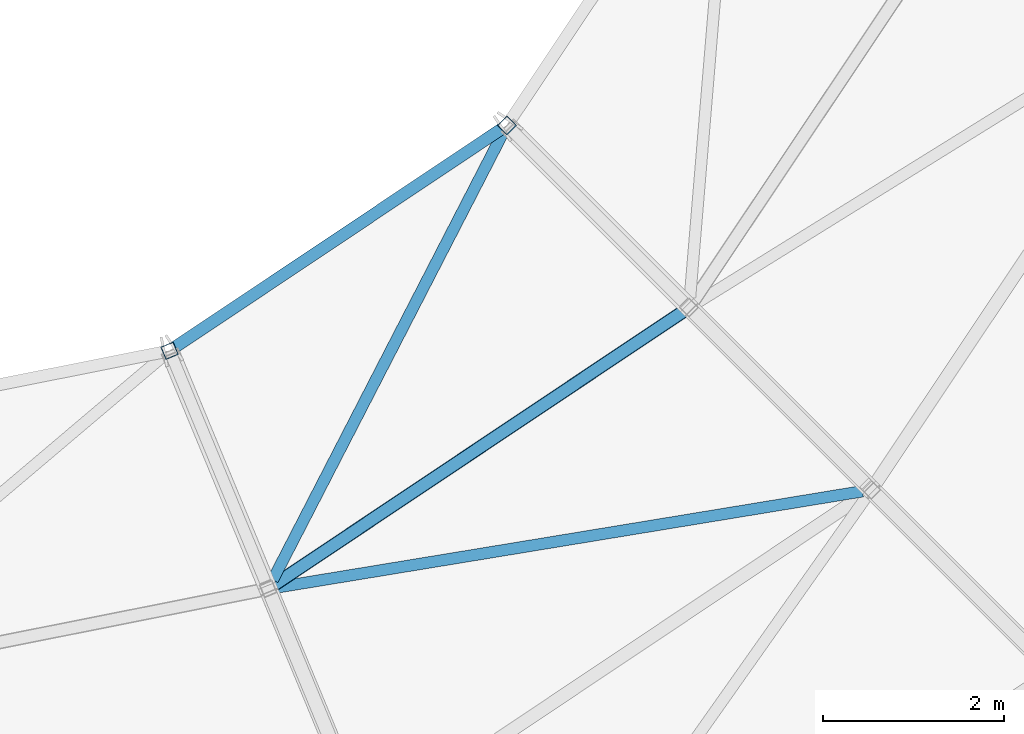
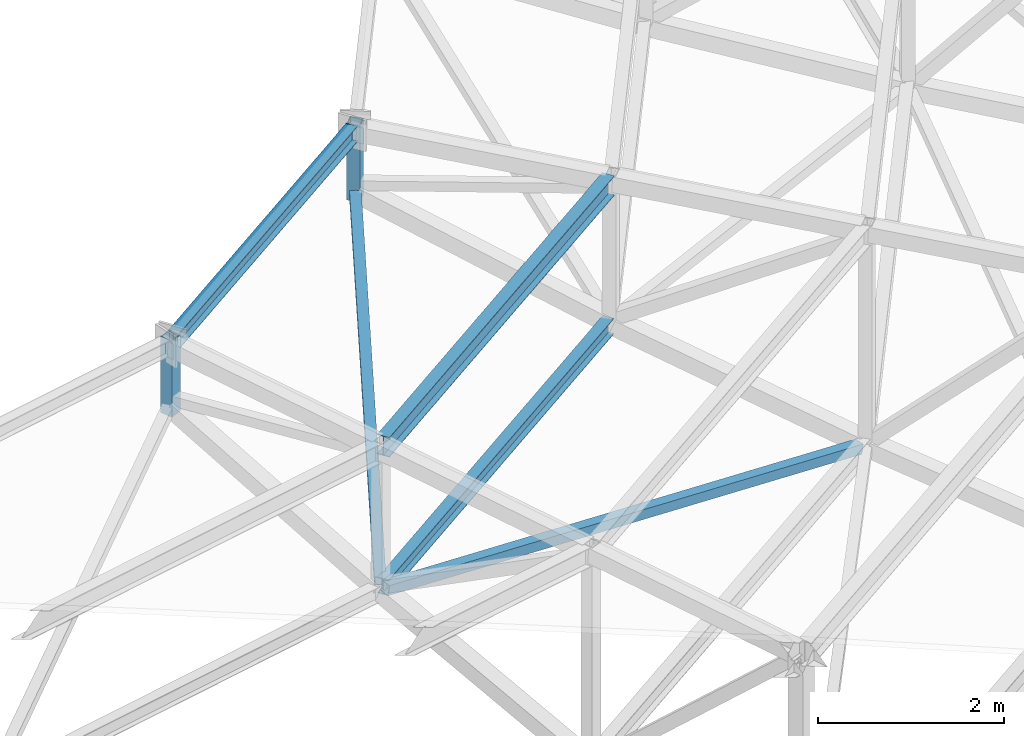
# One storey, part 30 of 278: 5 members, 2 beams.
"""IFC4 building model written with IfcOpenShell, lengths in metres."""

from ifc_helpers import new_model, si_unit, direction, frame, origin, origin_2d, place, context, subcontext, project, spatial, hollow_rectangle, i_section, extrude, material, material_profile, profile_set, type_object, element, save


model = new_model("IFC4")

# Units and contexts
model_context = context("Model", 3, precision=1e-05, world=origin(), true_north=direction((0.0, 1.0)))
body_context = subcontext(model_context, "Body", "Model", "MODEL_VIEW")
ifc_project = project(units=[si_unit("LENGTHUNIT", "METRE"), si_unit("AREAUNIT", "SQUARE_METRE"), si_unit("VOLUMEUNIT", "CUBIC_METRE"), si_unit("PLANEANGLEUNIT", "RADIAN"), si_unit("MASSUNIT", "GRAM", prefix="KILO")], contexts=[model_context])

# Site, building, storey
site_placement = place(None, origin())
site = spatial("IfcSite", under=ifc_project, at=site_placement, CompositionType="ELEMENT")
building_placement = place(site_placement, origin())
building = spatial("IfcBuilding", under=site, at=building_placement, Name="Ogive Plaza Stadium", CompositionType="ELEMENT")
storey_placement = place(building_placement, frame((0.0, 0.0, 29.0)))
storey = spatial("IfcBuildingStorey", under=building, at=storey_placement, Name="Roof", CompositionType="ELEMENT", Elevation=29.0)

# Members
ifc_material_1 = material(Name="Steel ASTM A500 Grade C", Category="steel")
ifc_material_profile_1 = material_profile(ifc_material_1, hollow_rectangle(XDim=0.126953125, YDim=0.126953125, WallThickness=0.005859375, at=origin_2d()), Name="HSS5X5X1/4")
ifc_profile_set_1 = profile_set([ifc_material_profile_1], Name="Steel ASTM A500 Grade C")
member_type_1 = type_object("IfcMemberType", Name="Roof plan brace HSS5X5X1/4", PredefinedType="BRACE", material=ifc_profile_set_1)
member_1_placement = place(storey_placement, frame((42.099609375, -60.6943359375, 6.51171875), z_axis=(-0.447994348676, -0.86971173479, -0.207129336217), x_axis=(0.888990772386, -0.457925110267, 0.0)))
element("IfcMember", 1, at=member_1_placement, inside=storey, type_object=member_type_1, Name="ROOF BRACE B10 1", PredefinedType="BRACE", context=body_context, shape_type="SweptSolid", body=[
    extrude(hollow_rectangle(XDim=0.126953125, YDim=0.126953125, WallThickness=0.005859375, at=origin_2d()), origin(), (0.0, 0.0, 1.0), 5.6953125),
])
member_2_placement = place(storey_placement, frame((39.5537109375, -65.74755859375, 5.295654296875), z_axis=(0.974144447421, 0.159991499608, -0.159515878869), x_axis=(-0.162066704963, 0.986779804791, 0.0)))
element("IfcMember", 2, at=member_2_placement, inside=storey, type_object=member_type_1, Name="ROOF BRACE B10 2", PredefinedType="BRACE", context=body_context, shape_type="SweptSolid", body=[
    extrude(hollow_rectangle(XDim=0.126953125, YDim=0.126953125, WallThickness=0.005859375, at=origin_2d()), origin(), (0.0, 0.0, 1.0), 6.673095703125),
])
ifc_material_2 = material(Name="Steel ASTM A992 Grade 50", Category="steel")
ifc_material_profile_2 = material_profile(ifc_material_2, i_section(OverallWidth=0.13330078125, OverallDepth=0.206787109375, WebThickness=0.005859375, FlangeThickness=0.00830078125, at=origin_2d()), Name="W8X18")
ifc_profile_set_2 = profile_set([ifc_material_profile_2], Name="Steel ASTM A992 Grade 50")
member_type_2 = type_object("IfcMemberType", Name="Roof plan strut W8X18", PredefinedType="STRUT", material=ifc_profile_set_2)
member_3_placement = place(storey_placement, frame((44.09619140625, -62.680908203125, 5.305908203125), z_axis=(-0.831460060683, -0.555584527762, 0.0), x_axis=(0.555584527762, -0.831460060683, 0.0)))
element("IfcMember", 3, at=member_3_placement, inside=storey, type_object=member_type_2, Name="ROOF STRUT B10 1", PredefinedType="STRUT", context=body_context, shape_type="SweptSolid", body=[
    extrude(i_section(OverallWidth=0.13330078125, OverallDepth=0.206787109375, WebThickness=0.005859375, FlangeThickness=0.00830078125, at=origin_2d()), origin(), (0.0, 0.0, 1.0), 5.47705078125),
])
ifc_material_3 = material(Name="Steel ASTM A992 Grade 50", Category="steel")
ifc_material_profile_3 = material_profile(ifc_material_3, i_section(OverallWidth=0.14599609375, OverallDepth=0.25830078125, WebThickness=0.006103515625, FlangeThickness=0.009033203125, at=origin_2d()), Name="W10X22")
ifc_profile_set_3 = profile_set([ifc_material_profile_3], Name="Steel ASTM A992 Grade 50")
member_type_3 = type_object("IfcMemberType", Name="Roof purlin W10X22", PredefinedType="PURLIN", material=ifc_profile_set_3)
member_4_placement = place(storey_placement, frame((44.09521484375, -62.681640625, 7.1533203125), z_axis=(-0.831473540822, -0.55556435353, 0.0), x_axis=(0.55556435353, -0.831473540822, 0.0)))
element("IfcMember", 4, at=member_4_placement, inside=storey, type_object=member_type_3, Name="ROOF PURLIN B10 1", PredefinedType="PURLIN", context=body_context, shape_type="SweptSolid", body=[
    extrude(i_section(OverallWidth=0.14599609375, OverallDepth=0.25830078125, WebThickness=0.006103515625, FlangeThickness=0.009033203125, at=origin_2d()), origin(), (0.0, 0.0, 1.0), 5.474609375),
])
ifc_material_4 = material(Name="Steel ASTM A992 Grade 50", Category="steel")
ifc_material_profile_4 = material_profile(ifc_material_4, i_section(OverallWidth=0.13330078125, OverallDepth=0.206787109375, WebThickness=0.005859375, FlangeThickness=0.00830078125, at=origin_2d()), Name="W8X18")
ifc_profile_set_4 = profile_set([ifc_material_profile_4], Name="Steel ASTM A992 Grade 50")
member_type_4 = type_object("IfcMemberType", Name="Roof tip ring beam W8X18", PredefinedType="MEMBER", material=ifc_profile_set_4)
member_5_placement = place(storey_placement, frame((42.0810546875, -60.66552734375, 7.321533203125), z_axis=(-0.831447486462, -0.555603345252, 0.0), x_axis=(0.555603345252, -0.831447486462, 0.0)))
element("IfcMember", 5, at=member_5_placement, inside=storey, type_object=member_type_4, Name="RING BEAM B10", PredefinedType="MEMBER", context=body_context, shape_type="SweptSolid", body=[
    extrude(i_section(OverallWidth=0.13330078125, OverallDepth=0.206787109375, WebThickness=0.005859375, FlangeThickness=0.00830078125, at=origin_2d()), origin(), (0.0, 0.0, 1.0), 4.365234375),
])

# Beams
ifc_material_5 = material(Name="Steel ASTM A500 Grade C", Category="steel")
ifc_material_profile_5 = material_profile(ifc_material_5, hollow_rectangle(XDim=0.15234375, YDim=0.15234375, WallThickness=0.0087890625, at=origin_2d()), Name="HSS6X6X3/8")
ifc_profile_set_5 = profile_set([ifc_material_profile_5], Name="Steel ASTM A500 Grade C")
beam_type = type_object("IfcBeamType", Name="Roof truss post HSS6X6X3/8", PredefinedType="BEAM", material=ifc_profile_set_5)
for number, where, z_axis, x_axis, name in (
    (6, (42.1318359375, -60.6318359375, 6.425048828125), (0.0, 0.0, 1.0), (0.707106781187, 0.707106781187, 0.0), "ROOF TRUSS T10 POST 1"),
    (7, (38.40087890625, -63.12451171875, 6.425048828125), (0.0, 0.0, 1.0), (0.923879532511, 0.382683432365, 0.0), "ROOF TRUSS T11 POST 1"),
):
    element("IfcBeam", number, at=place(storey_placement, frame(where, z_axis=z_axis, x_axis=x_axis)), inside=storey, type_object=beam_type, Name=name, PredefinedType="BEAM", context=body_context, shape_type="SweptSolid", body=[
        extrude(hollow_rectangle(XDim=0.15234375, YDim=0.15234375, WallThickness=0.0087890625, at=origin_2d()), origin(), (0.0, 0.0, 1.0), 1.0),
    ])

save(model, "model.ifc")
